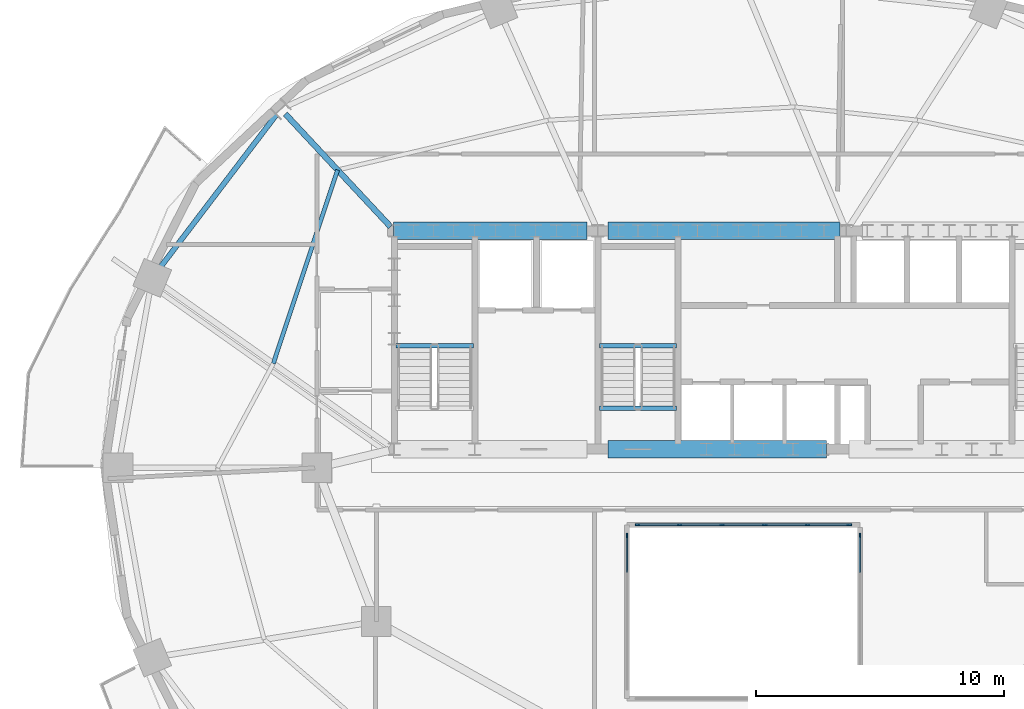
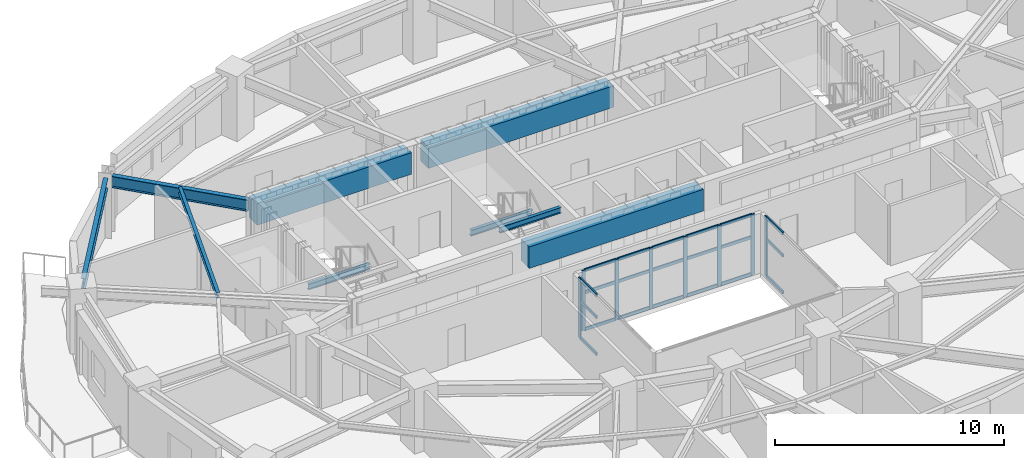
# One storey, part 3 of 11: 29 members, 9 beams, 3 elements without a shape of their own.
"""IFC4 building model written with IfcOpenShell, lengths in metres."""

import ifcopenshell
import ifcopenshell.guid

model = None  # the IFC model being written
_history = None  # IfcOwnerHistory: only IFC2X3 demands one
_inside = {}  # id of a spatial element -> (the spatial element, [elements in it])
_under = {}  # id of a project, library or spatial element -> (it, [spatial elements below it])
_declared = {}  # id of a project -> (the project, [libraries it declares])
_typed = {}  # id of a type object -> (the type object, [elements of that type])
_made_of = {}  # id of a material, layer set ... -> (it, [elements and type objects made of it])


def new_model(schema):
    """Start an empty IFC model of exactly this schema.

    Asked for "IFC4X3", IfcOpenShell would pick the latest addendum, in which some entities
    have other attributes; the version numbers below select the first issue.
    IFC2X3 requires an IfcOwnerHistory on every rooted entity: one is made here for all.
    """
    global model, _history
    if schema == "IFC4X3":
        model = ifcopenshell.file(schema_version=(4, 3, 0, 0))
    else:
        model = ifcopenshell.file(schema=schema)
    _inside.clear()
    _under.clear()
    _declared.clear()
    _typed.clear()
    _made_of.clear()
    _history = None
    if model.schema == "IFC2X3":
        org = make("IfcOrganization", Name="unknown")
        user = make(
            "IfcPersonAndOrganization",
            ThePerson=make("IfcPerson", FamilyName="unknown"),
            TheOrganization=org,
        )
        app = make(
            "IfcApplication",
            ApplicationDeveloper=org,
            Version="unknown",
            ApplicationFullName="unknown",
            ApplicationIdentifier="unknown",
        )
        _history = make(
            "IfcOwnerHistory",
            OwningUser=user,
            OwningApplication=app,
            ChangeAction="ADDED",
            CreationDate=0,
        )
    return model


def make(cls, **values):
    """One entity of the class cls with the attributes given. An attribute that is None is left unset."""
    return model.create_entity(
        cls, **{name: value for name, value in values.items() if value is not None}
    )


def rooted(cls, **values):
    """An entity with a GlobalId (a new one), such as an element, a storey or a relation."""
    return make(cls, GlobalId=ifcopenshell.guid.new(), OwnerHistory=_history, **values)


def si_unit(unit_type, name, prefix=None):
    """IfcSIUnit, for example si_unit("LENGTHUNIT", "METRE", prefix="MILLI")."""
    return make("IfcSIUnit", UnitType=unit_type, Prefix=prefix, Name=name)


def assignment(units):
    """IfcUnitAssignment: the units of a project."""
    return None if units is None else make("IfcUnitAssignment", Units=units)


def point(xyz):
    """IfcCartesianPoint."""
    return None if xyz is None else make("IfcCartesianPoint", Coordinates=xyz)


def direction(xyz):
    """IfcDirection."""
    return None if xyz is None else make("IfcDirection", DirectionRatios=xyz)


def frame(location, z_axis=None, x_axis=None):
    """IfcAxis2Placement3D, a coordinate frame: its origin and axes. An axis left out is left unset."""
    return make(
        "IfcAxis2Placement3D",
        Location=point(location),
        Axis=direction(z_axis),
        RefDirection=direction(x_axis),
    )


def frame_2d(location, x_axis=None):
    """IfcAxis2Placement2D, a coordinate frame in the plane: its origin and x axis."""
    return make(
        "IfcAxis2Placement2D", Location=point(location), RefDirection=direction(x_axis)
    )


def origin():
    """The frame at (0, 0, 0) with its axes left unset."""
    return frame((0.0, 0.0, 0.0))


def origin_2d():
    """The frame at (0, 0) in the plane with its x axis left unset."""
    return frame_2d((0.0, 0.0))


def place(relative_to, where):
    """IfcLocalPlacement: puts the frame where relative to a parent placement (None: the world)."""
    return make(
        "IfcLocalPlacement", PlacementRelTo=relative_to, RelativePlacement=where
    )


def context(
    kind, dimensions, precision=None, world=None, true_north=None, identifier=None
):
    """IfcGeometricRepresentationContext, for example the 3D "Model" context."""
    return make(
        "IfcGeometricRepresentationContext",
        ContextIdentifier=identifier,
        ContextType=kind,
        CoordinateSpaceDimension=dimensions,
        Precision=precision,
        WorldCoordinateSystem=world,
        TrueNorth=true_north,
    )


def subcontext(parent, identifier, kind, view, scale=None):
    """IfcGeometricRepresentationSubContext, for example "Body" below "Model"."""
    return make(
        "IfcGeometricRepresentationSubContext",
        ContextIdentifier=identifier,
        ContextType=kind,
        ParentContext=parent,
        TargetScale=scale,
        TargetView=view,
    )


def project(units=None, contexts=None):
    """IfcProject with its units and contexts."""
    return rooted(
        "IfcProject",
        Name="project",
        RepresentationContexts=contexts,
        UnitsInContext=assignment(units),
    )


def spatial(cls, under=None, at=None, **own):
    """A site, building, storey or space (cls), placed at a placement, below another one or the project."""
    s = rooted(cls, ObjectPlacement=at, **own)
    if under is not None:
        _under.setdefault(under.id(), (under, []))[1].append(s)
    return s


def profile(cls, at=None, kind="AREA", **sizes):
    """A parametric profile (cls). Its sizes go by their IFC names, for example OverallWidth=200.0."""
    return make(cls, ProfileType=kind, Position=at, **sizes)


def rectangle(**sizes):
    """IfcRectangleProfileDef."""
    return profile("IfcRectangleProfileDef", **sizes)


def i_section(**sizes):
    """IfcIShapeProfileDef."""
    return profile("IfcIShapeProfileDef", **sizes)


def extrude(swept, where, along, depth):
    """IfcExtrudedAreaSolid: the profile swept, set in the frame where, extruded along a direction by depth."""
    return make(
        "IfcExtrudedAreaSolid",
        SweptArea=swept,
        Position=where,
        ExtrudedDirection=direction(along),
        Depth=depth,
    )


def shape(context_of_items, identifier, shape_type, items):
    """IfcShapeRepresentation: the items that make up one representation, for example the "Body"."""
    return make(
        "IfcShapeRepresentation",
        ContextOfItems=context_of_items,
        RepresentationIdentifier=identifier,
        RepresentationType=shape_type,
        Items=items,
    )


def material(Name=None, Category=None):
    """IfcMaterial."""
    return make("IfcMaterial", Name=Name, Category=Category)


def material_profile(
    of_material, cross_section, Name=None, Category=None, Priority=None
):
    """IfcMaterialProfile: a cross section and its material."""
    return make(
        "IfcMaterialProfile",
        Name=Name,
        Material=of_material,
        Profile=cross_section,
        Priority=Priority,
        Category=Category,
    )


def profile_set(profiles, Name=None, composite=None):
    """IfcMaterialProfileSet."""
    return make(
        "IfcMaterialProfileSet",
        Name=Name,
        MaterialProfiles=profiles,
        CompositeProfile=composite,
    )


def made_of(thing, what):
    """Note that an element or type object is made of a material, layer set ...; save() writes the relation."""
    if what is not None:
        _made_of.setdefault(what.id(), (what, []))[1].append(thing)
    return thing


def type_object(cls, material=None, **own):
    """A type object (cls), such as IfcWallType, which elements share."""
    return made_of(rooted(cls, **own), material)


def element(
    cls,
    number,
    at=None,
    inside=None,
    cuts=None,
    type_object=None,
    material=None,
    context=None,
    identifier="Body",
    shape_type=None,
    held_by="IfcProductDefinitionShape",
    body=None,
    shapes=None,
    **own,
):
    """One element of the class cls, such as IfcWall. Its Tag is "e" and its number.

    at: its placement. inside: the storey or other place that contains it. cuts: it is an
    opening in that element (IfcRelVoidsElement). A single representation is given by context,
    identifier, shape_type and body (its items); several are given by shapes. held_by: the class
    of the entity that holds the representations. save() writes the other relations.
    """
    e = rooted(cls, Tag="e%d" % number, ObjectPlacement=at, **own)
    if body is not None:
        shapes = [shape(context, identifier, shape_type, body)]
    if shapes is not None:
        e.Representation = make(held_by, Representations=shapes)
    if inside is not None:
        _inside.setdefault(inside.id(), (inside, []))[1].append(e)
    if cuts is not None:
        rooted(
            "IfcRelVoidsElement", RelatingBuildingElement=cuts, RelatedOpeningElement=e
        )
    if type_object is not None:
        _typed.setdefault(type_object.id(), (type_object, []))[1].append(e)
    return made_of(e, material)


def aggregate(whole, parts):
    """IfcRelAggregates: a whole, such as a stair, and the parts it consists of."""
    return rooted("IfcRelAggregates", RelatingObject=whole, RelatedObjects=parts)


def save(model, path):
    """Write the relations noted so far, then the file.

    IfcRelAggregates (storeys below a building ...), IfcRelContainedInSpatialStructure (elements
    in a storey), IfcRelDefinesByType, IfcRelAssociatesMaterial and IfcRelDeclares: one each for
    every whole, place, type object, material and project.
    """
    for whole, parts in _under.values():
        aggregate(whole, parts)
    for where, things in _inside.values():
        rooted(
            "IfcRelContainedInSpatialStructure",
            RelatedElements=things,
            RelatingStructure=where,
        )
    for kind, things in _typed.values():
        rooted("IfcRelDefinesByType", RelatedObjects=things, RelatingType=kind)
    for what, things in _made_of.values():
        rooted("IfcRelAssociatesMaterial", RelatedObjects=things, RelatingMaterial=what)
    for by, libraries in _declared.values():
        rooted("IfcRelDeclares", RelatingContext=by, RelatedDefinitions=libraries)
    model.write(path)


model = new_model("IFC4")

# Units and contexts
model_context = context("Model", 3, precision=1e-05, world=origin(), true_north=direction((0.0, 1.0)))
body_context = subcontext(model_context, "Body", "Model", "MODEL_VIEW")
ifc_project = project(units=[si_unit("LENGTHUNIT", "METRE"), si_unit("AREAUNIT", "SQUARE_METRE"), si_unit("VOLUMEUNIT", "CUBIC_METRE"), si_unit("PLANEANGLEUNIT", "RADIAN"), si_unit("MASSUNIT", "GRAM", prefix="KILO")], contexts=[model_context])

# Site, building, storey
site_placement = place(None, origin())
site = spatial("IfcSite", under=ifc_project, at=site_placement, CompositionType="ELEMENT")
building_placement = place(site_placement, origin())
building = spatial("IfcBuilding", under=site, at=building_placement, Name="Haldorwick Loom Tower", CompositionType="ELEMENT")
storey_placement = place(building_placement, frame((0.0, 0.0, 164.800048828125)))
storey = spatial("IfcBuildingStorey", under=building, at=storey_placement, Name="L44", CompositionType="ELEMENT", Elevation=164.800048828125)

# Curtain wall, members
ifc_material_1 = material(Name="Thermally Broken Anodized Aluminium Curtain Wall Framing", Category="aluminium")
curtain_wall_type = type_object("IfcCurtainWallType", Name="ARC-CW-03", PredefinedType="NOTDEFINED", material=ifc_material_1)
curtain_wall_1_placement = place(storey_placement, origin())
curtain_wall_1 = element("IfcCurtainWall", 1, at=curtain_wall_1_placement, inside=storey, type_object=curtain_wall_type, Name="L44 Atrium Glazed Screen N", PredefinedType="NOTDEFINED")
ifc_material_profile_1 = material_profile(ifc_material_1, rectangle(XDim=0.06591796875, YDim=0.18505859375, at=origin_2d()), Name="ALU_MUL_66X185", Category="aluminium")
ifc_profile_set_1 = profile_set([ifc_material_profile_1], Name="Thermally Broken Anodized Aluminium Curtain Wall Framing")
member_type_1 = type_object("IfcMemberType", Name="ARC-CWM-03", PredefinedType="MULLION", material=ifc_profile_set_1)
member_1_placement = place(storey_placement, frame((31.73291015625, 23.699951171875, 0.0), z_axis=(0.0, 0.0, 1.0), x_axis=(0.0, 1.0, 0.0)))
member_1 = element("IfcMember", 2, at=member_1_placement, type_object=member_type_1, Name="CW-03 mullion 1", PredefinedType="MULLION", context=body_context, shape_type="SweptSolid", body=[
    extrude(rectangle(XDim=0.06591796875, YDim=0.18505859375, at=origin_2d()), origin(), (0.0, 0.0, 1.0), 3.2099609375),
])
member_2_placement = place(storey_placement, frame((33.419921875, 23.699951171875, 0.0), z_axis=(0.0, 0.0, 1.0), x_axis=(0.0, 1.0, 0.0)))
member_2 = element("IfcMember", 3, at=member_2_placement, type_object=member_type_1, Name="CW-03 mullion 2", PredefinedType="MULLION", context=body_context, shape_type="SweptSolid", body=[
    extrude(rectangle(XDim=0.06591796875, YDim=0.18505859375, at=origin_2d()), origin(), (0.0, 0.0, 1.0), 3.2099609375),
])
member_3_placement = place(storey_placement, frame((35.139892578125, 23.699951171875, 0.0), z_axis=(0.0, 0.0, 1.0), x_axis=(0.0, 1.0, 0.0)))
member_3 = element("IfcMember", 4, at=member_3_placement, type_object=member_type_1, Name="CW-03 mullion 3", PredefinedType="MULLION", context=body_context, shape_type="SweptSolid", body=[
    extrude(rectangle(XDim=0.06591796875, YDim=0.18505859375, at=origin_2d()), origin(), (0.0, 0.0, 1.0), 3.2099609375),
])
member_4_placement = place(storey_placement, frame((36.860107421875, 23.699951171875, 0.0), z_axis=(0.0, 0.0, 1.0), x_axis=(0.0, 1.0, 0.0)))
member_4 = element("IfcMember", 5, at=member_4_placement, type_object=member_type_1, Name="CW-03 mullion 4", PredefinedType="MULLION", context=body_context, shape_type="SweptSolid", body=[
    extrude(rectangle(XDim=0.06591796875, YDim=0.18505859375, at=origin_2d()), origin(), (0.0, 0.0, 1.0), 3.2099609375),
])
member_5_placement = place(storey_placement, frame((38.580078125, 23.699951171875, 0.0), z_axis=(0.0, 0.0, 1.0), x_axis=(0.0, 1.0, 0.0)))
member_5 = element("IfcMember", 6, at=member_5_placement, type_object=member_type_1, Name="CW-03 mullion 5", PredefinedType="MULLION", context=body_context, shape_type="SweptSolid", body=[
    extrude(rectangle(XDim=0.06591796875, YDim=0.18505859375, at=origin_2d()), origin(), (0.0, 0.0, 1.0), 3.2099609375),
])
member_6_placement = place(storey_placement, frame((40.26708984375, 23.699951171875, 0.0), z_axis=(0.0, 0.0, 1.0), x_axis=(0.0, 1.0, 0.0)))
member_6 = element("IfcMember", 7, at=member_6_placement, type_object=member_type_1, Name="CW-03 mullion 6", PredefinedType="MULLION", context=body_context, shape_type="SweptSolid", body=[
    extrude(rectangle(XDim=0.06591796875, YDim=0.18505859375, at=origin_2d()), origin(), (0.0, 0.0, 1.0), 3.2099609375),
])

# Curtain wall, member
curtain_wall_2_placement = place(storey_placement, origin())
curtain_wall_2 = element("IfcCurtainWall", 8, at=curtain_wall_2_placement, inside=storey, type_object=curtain_wall_type, Name="L44 Atrium Glazed Screen W", PredefinedType="NOTDEFINED")
member_7_placement = place(storey_placement, frame((31.300048828125, 23.26708984375, 0.0), z_axis=(0.0, 0.0, 1.0), x_axis=(-1.0, 0.0, 0.0)))
member_7 = element("IfcMember", 9, at=member_7_placement, type_object=member_type_1, Name="CW-03 mullion 5", PredefinedType="MULLION", context=body_context, shape_type="SweptSolid", body=[
    extrude(rectangle(XDim=0.06591796875, YDim=0.18505859375, at=origin_2d()), origin(), (0.0, 0.0, 1.0), 3.2099609375),
])

curtain_wall_3_placement = place(storey_placement, origin())
curtain_wall_3 = element("IfcCurtainWall", 10, at=curtain_wall_3_placement, inside=storey, type_object=curtain_wall_type, Name="L44 Atrium Glazed Screen E", PredefinedType="NOTDEFINED")
member_8_placement = place(storey_placement, frame((40.699951171875, 23.26708984375, 0.0), z_axis=(0.0, 0.0, 1.0), x_axis=(1.0, 0.0, 0.0)))
member_8 = element("IfcMember", 11, at=member_8_placement, type_object=member_type_1, Name="CW-03 mullion 1", PredefinedType="MULLION", context=body_context, shape_type="SweptSolid", body=[
    extrude(rectangle(XDim=0.06591796875, YDim=0.18505859375, at=origin_2d()), origin(), (0.0, 0.0, 1.0), 3.2099609375),
])

# Member
ifc_material_profile_2 = material_profile(ifc_material_1, rectangle(XDim=0.06591796875, YDim=0.1650390625, at=origin_2d()), Name="ALU_TRN_66X165", Category="aluminium")
ifc_profile_set_2 = profile_set([ifc_material_profile_2], Name="Thermally Broken Anodized Aluminium Curtain Wall Framing")
member_type_2 = type_object("IfcMemberType", Name="ARC-CWT-03", PredefinedType="USERDEFINED", material=ifc_profile_set_2)
member_9_placement = place(storey_placement, frame((31.76611328125, 23.699951171875, 0.032958984375), z_axis=(1.0, 0.0, 0.0), x_axis=(0.0, 1.0, 0.0)))
member_9 = element("IfcMember", 12, at=member_9_placement, type_object=member_type_2, Name="CW-03 transom 1.1", ObjectType="TRANSOM", PredefinedType="USERDEFINED", context=body_context, shape_type="SweptSolid", body=[
    extrude(rectangle(XDim=0.06591796875, YDim=0.1650390625, at=origin_2d()), origin(), (0.0, 0.0, 1.0), 1.620849609375),
])

member_10_placement = place(storey_placement, frame((31.76611328125, 23.699951171875, 2.0), z_axis=(1.0, 0.0, 0.0), x_axis=(0.0, 1.0, 0.0)))
member_10 = element("IfcMember", 13, at=member_10_placement, type_object=member_type_2, Name="CW-03 transom 1.2", ObjectType="TRANSOM", PredefinedType="USERDEFINED", context=body_context, shape_type="SweptSolid", body=[
    extrude(rectangle(XDim=0.06591796875, YDim=0.1650390625, at=origin_2d()), origin(), (0.0, 0.0, 1.0), 1.620849609375),
])

member_11_placement = place(storey_placement, frame((31.76611328125, 23.699951171875, 3.177001953125), z_axis=(1.0, 0.0, 0.0), x_axis=(0.0, 1.0, 0.0)))
member_11 = element("IfcMember", 14, at=member_11_placement, type_object=member_type_2, Name="CW-03 transom 1.3", ObjectType="TRANSOM", PredefinedType="USERDEFINED", context=body_context, shape_type="SweptSolid", body=[
    extrude(rectangle(XDim=0.06591796875, YDim=0.1650390625, at=origin_2d()), origin(), (0.0, 0.0, 1.0), 1.620849609375),
])

member_12_placement = place(storey_placement, frame((33.452880859375, 23.699951171875, 0.032958984375), z_axis=(1.0, 0.0, 0.0), x_axis=(0.0, 1.0, 0.0)))
member_12 = element("IfcMember", 15, at=member_12_placement, type_object=member_type_2, Name="CW-03 transom 2.1", ObjectType="TRANSOM", PredefinedType="USERDEFINED", context=body_context, shape_type="SweptSolid", body=[
    extrude(rectangle(XDim=0.06591796875, YDim=0.1650390625, at=origin_2d()), origin(), (0.0, 0.0, 1.0), 1.654052734375),
])

member_13_placement = place(storey_placement, frame((33.452880859375, 23.699951171875, 2.0), z_axis=(1.0, 0.0, 0.0), x_axis=(0.0, 1.0, 0.0)))
member_13 = element("IfcMember", 16, at=member_13_placement, type_object=member_type_2, Name="CW-03 transom 2.2", ObjectType="TRANSOM", PredefinedType="USERDEFINED", context=body_context, shape_type="SweptSolid", body=[
    extrude(rectangle(XDim=0.06591796875, YDim=0.1650390625, at=origin_2d()), origin(), (0.0, 0.0, 1.0), 1.654052734375),
])

member_14_placement = place(storey_placement, frame((33.452880859375, 23.699951171875, 3.177001953125), z_axis=(1.0, 0.0, 0.0), x_axis=(0.0, 1.0, 0.0)))
member_14 = element("IfcMember", 17, at=member_14_placement, type_object=member_type_2, Name="CW-03 transom 2.3", ObjectType="TRANSOM", PredefinedType="USERDEFINED", context=body_context, shape_type="SweptSolid", body=[
    extrude(rectangle(XDim=0.06591796875, YDim=0.1650390625, at=origin_2d()), origin(), (0.0, 0.0, 1.0), 1.654052734375),
])

member_15_placement = place(storey_placement, frame((35.173095703125, 23.699951171875, 0.032958984375), z_axis=(1.0, 0.0, 0.0), x_axis=(0.0, 1.0, 0.0)))
member_15 = element("IfcMember", 18, at=member_15_placement, type_object=member_type_2, Name="CW-03 transom 3.1", ObjectType="TRANSOM", PredefinedType="USERDEFINED", context=body_context, shape_type="SweptSolid", body=[
    extrude(rectangle(XDim=0.06591796875, YDim=0.1650390625, at=origin_2d()), origin(), (0.0, 0.0, 1.0), 1.65380859375),
])

member_16_placement = place(storey_placement, frame((35.173095703125, 23.699951171875, 2.0), z_axis=(1.0, 0.0, 0.0), x_axis=(0.0, 1.0, 0.0)))
member_16 = element("IfcMember", 19, at=member_16_placement, type_object=member_type_2, Name="CW-03 transom 3.2", ObjectType="TRANSOM", PredefinedType="USERDEFINED", context=body_context, shape_type="SweptSolid", body=[
    extrude(rectangle(XDim=0.06591796875, YDim=0.1650390625, at=origin_2d()), origin(), (0.0, 0.0, 1.0), 1.65380859375),
])

member_17_placement = place(storey_placement, frame((35.173095703125, 23.699951171875, 3.177001953125), z_axis=(1.0, 0.0, 0.0), x_axis=(0.0, 1.0, 0.0)))
member_17 = element("IfcMember", 20, at=member_17_placement, type_object=member_type_2, Name="CW-03 transom 3.3", ObjectType="TRANSOM", PredefinedType="USERDEFINED", context=body_context, shape_type="SweptSolid", body=[
    extrude(rectangle(XDim=0.06591796875, YDim=0.1650390625, at=origin_2d()), origin(), (0.0, 0.0, 1.0), 1.65380859375),
])

member_18_placement = place(storey_placement, frame((36.89306640625, 23.699951171875, 0.032958984375), z_axis=(1.0, 0.0, 0.0), x_axis=(0.0, 1.0, 0.0)))
member_18 = element("IfcMember", 21, at=member_18_placement, type_object=member_type_2, Name="CW-03 transom 4.1", ObjectType="TRANSOM", PredefinedType="USERDEFINED", context=body_context, shape_type="SweptSolid", body=[
    extrude(rectangle(XDim=0.06591796875, YDim=0.1650390625, at=origin_2d()), origin(), (0.0, 0.0, 1.0), 1.654052734375),
])

member_19_placement = place(storey_placement, frame((36.89306640625, 23.699951171875, 2.0), z_axis=(1.0, 0.0, 0.0), x_axis=(0.0, 1.0, 0.0)))
member_19 = element("IfcMember", 22, at=member_19_placement, type_object=member_type_2, Name="CW-03 transom 4.2", ObjectType="TRANSOM", PredefinedType="USERDEFINED", context=body_context, shape_type="SweptSolid", body=[
    extrude(rectangle(XDim=0.06591796875, YDim=0.1650390625, at=origin_2d()), origin(), (0.0, 0.0, 1.0), 1.654052734375),
])

member_20_placement = place(storey_placement, frame((36.89306640625, 23.699951171875, 3.177001953125), z_axis=(1.0, 0.0, 0.0), x_axis=(0.0, 1.0, 0.0)))
member_20 = element("IfcMember", 23, at=member_20_placement, type_object=member_type_2, Name="CW-03 transom 4.3", ObjectType="TRANSOM", PredefinedType="USERDEFINED", context=body_context, shape_type="SweptSolid", body=[
    extrude(rectangle(XDim=0.06591796875, YDim=0.1650390625, at=origin_2d()), origin(), (0.0, 0.0, 1.0), 1.654052734375),
])

member_21_placement = place(storey_placement, frame((38.613037109375, 23.699951171875, 0.032958984375), z_axis=(1.0, 0.0, 0.0), x_axis=(0.0, 1.0, 0.0)))
member_21 = element("IfcMember", 24, at=member_21_placement, type_object=member_type_2, Name="CW-03 transom 5.1", ObjectType="TRANSOM", PredefinedType="USERDEFINED", context=body_context, shape_type="SweptSolid", body=[
    extrude(rectangle(XDim=0.06591796875, YDim=0.1650390625, at=origin_2d()), origin(), (0.0, 0.0, 1.0), 1.620849609375),
])

member_22_placement = place(storey_placement, frame((38.613037109375, 23.699951171875, 2.0), z_axis=(1.0, 0.0, 0.0), x_axis=(0.0, 1.0, 0.0)))
member_22 = element("IfcMember", 25, at=member_22_placement, type_object=member_type_2, Name="CW-03 transom 5.2", ObjectType="TRANSOM", PredefinedType="USERDEFINED", context=body_context, shape_type="SweptSolid", body=[
    extrude(rectangle(XDim=0.06591796875, YDim=0.1650390625, at=origin_2d()), origin(), (0.0, 0.0, 1.0), 1.620849609375),
])

member_23_placement = place(storey_placement, frame((38.613037109375, 23.699951171875, 3.177001953125), z_axis=(1.0, 0.0, 0.0), x_axis=(0.0, 1.0, 0.0)))
member_23 = element("IfcMember", 26, at=member_23_placement, type_object=member_type_2, Name="CW-03 transom 5.3", ObjectType="TRANSOM", PredefinedType="USERDEFINED", context=body_context, shape_type="SweptSolid", body=[
    extrude(rectangle(XDim=0.06591796875, YDim=0.1650390625, at=origin_2d()), origin(), (0.0, 0.0, 1.0), 1.620849609375),
])

aggregate(curtain_wall_1, [member_1, member_2, member_3, member_4, member_5, member_6, member_9, member_10, member_11, member_12, member_13, member_14, member_15, member_16, member_17, member_18, member_19, member_20, member_21, member_22, member_23])

member_24_placement = place(storey_placement, frame((31.300048828125, 21.782958984375, 0.032958984375), z_axis=(0.0, 1.0, 0.0), x_axis=(-1.0, 0.0, 0.0)))
member_24 = element("IfcMember", 27, at=member_24_placement, type_object=member_type_2, Name="CW-03 transom 4.1", ObjectType="TRANSOM", PredefinedType="USERDEFINED", context=body_context, shape_type="SweptSolid", body=[
    extrude(rectangle(XDim=0.06591796875, YDim=0.1650390625, at=origin_2d()), origin(), (0.0, 0.0, 1.0), 1.450927734375),
])

member_25_placement = place(storey_placement, frame((31.300048828125, 21.782958984375, 2.0), z_axis=(0.0, 1.0, 0.0), x_axis=(-1.0, 0.0, 0.0)))
member_25 = element("IfcMember", 28, at=member_25_placement, type_object=member_type_2, Name="CW-03 transom 4.2", ObjectType="TRANSOM", PredefinedType="USERDEFINED", context=body_context, shape_type="SweptSolid", body=[
    extrude(rectangle(XDim=0.06591796875, YDim=0.1650390625, at=origin_2d()), origin(), (0.0, 0.0, 1.0), 1.450927734375),
])

member_26_placement = place(storey_placement, frame((31.300048828125, 21.782958984375, 3.177001953125), z_axis=(0.0, 1.0, 0.0), x_axis=(-1.0, 0.0, 0.0)))
member_26 = element("IfcMember", 29, at=member_26_placement, type_object=member_type_2, Name="CW-03 transom 4.3", ObjectType="TRANSOM", PredefinedType="USERDEFINED", context=body_context, shape_type="SweptSolid", body=[
    extrude(rectangle(XDim=0.06591796875, YDim=0.1650390625, at=origin_2d()), origin(), (0.0, 0.0, 1.0), 1.450927734375),
])

aggregate(curtain_wall_2, [member_7, member_24, member_25, member_26])

member_27_placement = place(storey_placement, frame((40.699951171875, 23.23388671875, 0.032958984375), z_axis=(0.0, -1.0, 0.0), x_axis=(1.0, 0.0, 0.0)))
member_27 = element("IfcMember", 30, at=member_27_placement, type_object=member_type_2, Name="CW-03 transom 1.1", ObjectType="TRANSOM", PredefinedType="USERDEFINED", context=body_context, shape_type="SweptSolid", body=[
    extrude(rectangle(XDim=0.06591796875, YDim=0.1650390625, at=origin_2d()), origin(), (0.0, 0.0, 1.0), 1.450927734375),
])

member_28_placement = place(storey_placement, frame((40.699951171875, 23.23388671875, 2.0), z_axis=(0.0, -1.0, 0.0), x_axis=(1.0, 0.0, 0.0)))
member_28 = element("IfcMember", 31, at=member_28_placement, type_object=member_type_2, Name="CW-03 transom 1.2", ObjectType="TRANSOM", PredefinedType="USERDEFINED", context=body_context, shape_type="SweptSolid", body=[
    extrude(rectangle(XDim=0.06591796875, YDim=0.1650390625, at=origin_2d()), origin(), (0.0, 0.0, 1.0), 1.450927734375),
])

member_29_placement = place(storey_placement, frame((40.699951171875, 23.23388671875, 3.177001953125), z_axis=(0.0, -1.0, 0.0), x_axis=(1.0, 0.0, 0.0)))
member_29 = element("IfcMember", 32, at=member_29_placement, type_object=member_type_2, Name="CW-03 transom 1.3", ObjectType="TRANSOM", PredefinedType="USERDEFINED", context=body_context, shape_type="SweptSolid", body=[
    extrude(rectangle(XDim=0.06591796875, YDim=0.1650390625, at=origin_2d()), origin(), (0.0, 0.0, 1.0), 1.450927734375),
])

aggregate(curtain_wall_3, [member_8, member_27, member_28, member_29])

# Beams
ifc_material_2 = material(Name="Concrete C60 (60 MPa)", Category="concrete")
ifc_material_profile_3 = material_profile(ifc_material_2, rectangle(XDim=0.699951171875, YDim=1.14990234375, at=origin_2d()), Name="RC700X1150", Category="concrete")
ifc_profile_set_3 = profile_set([ifc_material_profile_3], Name="Concrete C60 (60 MPa)")
beam_type_1 = type_object("IfcBeamType", Name="STR-BM-CB1150", PredefinedType="LINTEL", material=ifc_profile_set_3)
beam_1_placement = place(storey_placement, frame((21.89990234375, 35.550048828125, 2.635009765625), z_axis=(1.0, 0.0, 0.0), x_axis=(0.0, 1.0, 0.0)))
element("IfcBeam", 33, at=beam_1_placement, inside=storey, type_object=beam_type_1, Name="L44 Core Coupling Beam CB-N1", PredefinedType="LINTEL", context=body_context, shape_type="SweptSolid", body=[
    extrude(rectangle(XDim=0.699951171875, YDim=1.14990234375, at=origin_2d()), origin(), (0.0, 0.0, 1.0), 7.800048828125),
])
beam_2_placement = place(storey_placement, frame((30.550048828125, 35.550048828125, 2.635009765625), z_axis=(1.0, 0.0, 0.0), x_axis=(0.0, 1.0, 0.0)))
element("IfcBeam", 34, at=beam_2_placement, inside=storey, type_object=beam_type_1, Name="L44 Core Coupling Beam CB-N2", PredefinedType="LINTEL", context=body_context, shape_type="SweptSolid", body=[
    extrude(rectangle(XDim=0.699951171875, YDim=1.14990234375, at=origin_2d()), origin(), (0.0, 0.0, 1.0), 9.349853515625),
])
beam_3_placement = place(storey_placement, frame((30.550048828125, 26.75, 2.635009765625), z_axis=(1.0, 0.0, 0.0), x_axis=(0.0, 1.0, 0.0)))
element("IfcBeam", 35, at=beam_3_placement, inside=storey, type_object=beam_type_1, Name="L44 Core Coupling Beam CB-S2", PredefinedType="LINTEL", context=body_context, shape_type="SweptSolid", body=[
    extrude(rectangle(XDim=0.699951171875, YDim=1.14990234375, at=origin_2d()), origin(), (0.0, 0.0, 1.0), 8.800048828125),
])
ifc_material_3 = material(Name="Steel CSA G40.21 350W", Category="steel")
ifc_material_profile_4 = material_profile(ifc_material_3, i_section(OverallWidth=0.166015625, OverallDepth=0.31298828125, WebThickness=0.006591796875, FlangeThickness=0.01123046875, at=origin_2d()), Name="W310X45", Category="steel")
ifc_profile_set_4 = profile_set([ifc_material_profile_4], Name="Steel CSA G40.21 350W")
beam_type_2 = type_object("IfcBeamType", Name="STR-BM-J310", PredefinedType="JOIST", material=ifc_profile_set_4)
beam_4_placement = place(storey_placement, frame((19.63720703125, 38.007080078125, 3.053466796875), z_axis=(-0.314980632705, -0.949098098734, 0.0), x_axis=(0.949098098734, -0.314980632705, 0.0)))
element("IfcBeam", 36, at=beam_4_placement, inside=storey, type_object=beam_type_2, Name="L44 Mid-Bay Secondary Joist 7", PredefinedType="JOIST", context=body_context, shape_type="SweptSolid", body=[
    extrude(i_section(OverallWidth=0.166015625, OverallDepth=0.31298828125, WebThickness=0.006591796875, FlangeThickness=0.01123046875, at=origin_2d()), origin(), (0.0, 0.0, 1.0), 8.223876953125),
])
ifc_material_profile_5 = material_profile(ifc_material_3, i_section(OverallWidth=0.2119140625, OverallDepth=0.5439453125, WebThickness=0.01318359375, FlangeThickness=0.021240234375, at=origin_2d()), Name="W530X123", Category="steel")
ifc_profile_set_5 = profile_set([ifc_material_profile_5], Name="Steel CSA G40.21 350W")
beam_type_3 = type_object("IfcBeamType", Name="STR-BM-SP530", PredefinedType="SPANDREL", material=ifc_profile_set_5)
beam_5_placement = place(storey_placement, frame((17.177978515625, 40.245361328125, 2.93798828125), z_axis=(-0.605421356486, -0.795905133236, 0.0), x_axis=(0.795905133236, -0.605421356486, 0.0)))
element("IfcBeam", 37, at=beam_5_placement, inside=storey, type_object=beam_type_3, Name="L44 Perimeter Spandrel 7", PredefinedType="SPANDREL", context=body_context, shape_type="SweptSolid", body=[
    extrude(i_section(OverallWidth=0.2119140625, OverallDepth=0.5439453125, WebThickness=0.01318359375, FlangeThickness=0.021240234375, at=origin_2d()), origin(), (0.0, 0.0, 1.0), 7.761962890625),
])
ifc_material_profile_6 = material_profile(ifc_material_3, i_section(OverallWidth=0.166015625, OverallDepth=0.31298828125, WebThickness=0.006591796875, FlangeThickness=0.01123046875, at=origin_2d()), Name="W310X45", Category="steel")
ifc_profile_set_6 = profile_set([ifc_material_profile_6], Name="Steel CSA G40.21 350W")
beam_type_4 = type_object("IfcBeamType", Name="STR-BM-STRM", PredefinedType="BEAM", material=ifc_profile_set_6)
for number, where, z_axis, x_axis, name in (
    (38, (21.989990234375, 30.919921875, 1.368408203125), (1.0, 0.0, 0.0), (0.0, 1.0, 0.0), "L44 Stair ST-01 Half-Landing Trimmer 1"),
    (39, (30.18994140625, 28.39990234375, 3.053466796875), (1.0, 0.0, 0.0), (0.0, 1.0, 0.0), "L44 Stair ST-03 Landing Edge Trimmer"),
    (40, (30.18994140625, 30.919921875, 1.368408203125), (1.0, 0.0, 0.0), (0.0, 1.0, 0.0), "L44 Stair ST-03 Half-Landing Trimmer 1"),
):
    element("IfcBeam", number, at=place(storey_placement, frame(where, z_axis=z_axis, x_axis=x_axis)), inside=storey, type_object=beam_type_4, Name=name, PredefinedType="BEAM", context=body_context, shape_type="SweptSolid", body=[
        extrude(i_section(OverallWidth=0.166015625, OverallDepth=0.31298828125, WebThickness=0.006591796875, FlangeThickness=0.01123046875, at=origin_2d()), origin(), (0.0, 0.0, 1.0), 3.1201171875),
    ])
ifc_material_profile_7 = material_profile(ifc_material_3, i_section(OverallWidth=0.22998046875, OverallDepth=0.616943359375, WebThickness=0.01318359375, FlangeThickness=0.022216796875, at=origin_2d()), Name="W610X140", Category="steel")
ifc_profile_set_7 = profile_set([ifc_material_profile_7], Name="Steel CSA G40.21 350W")
beam_type_5 = type_object("IfcBeamType", Name="STR-BM-W610B", PredefinedType="BEAM", material=ifc_profile_set_7)
beam_6_placement = place(storey_placement, frame((21.776611328125, 35.714599609375, 2.9013671875), z_axis=(-0.682256728841, 0.731112683484, 0.0), x_axis=(-0.731112683484, -0.682256728841, 0.0)))
element("IfcBeam", 41, at=beam_6_placement, inside=storey, type_object=beam_type_5, Name="L44 Radial Floor Girder 7", PredefinedType="BEAM", context=body_context, shape_type="SweptSolid", body=[
    extrude(i_section(OverallWidth=0.22998046875, OverallDepth=0.616943359375, WebThickness=0.01318359375, FlangeThickness=0.022216796875, at=origin_2d()), origin(), (0.0, 0.0, 1.0), 6.221435546875),
])

save(model, "model.ifc")
